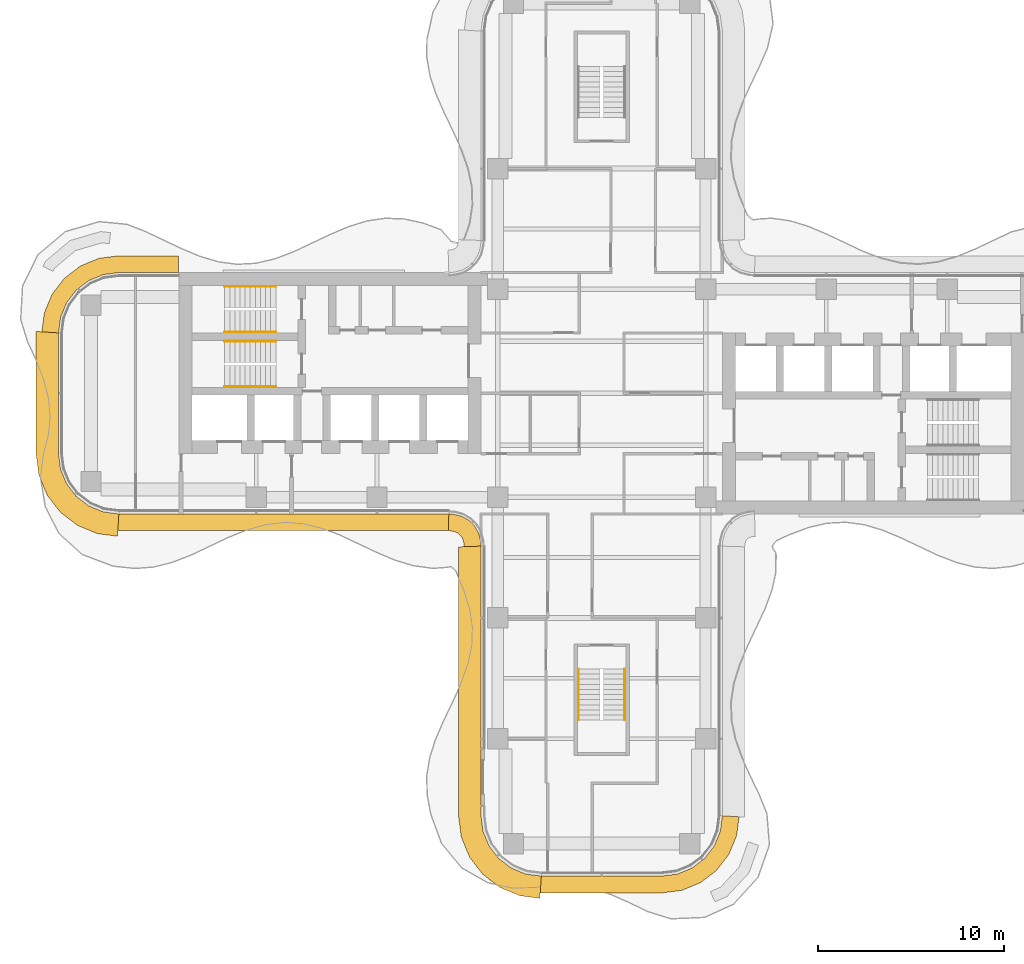
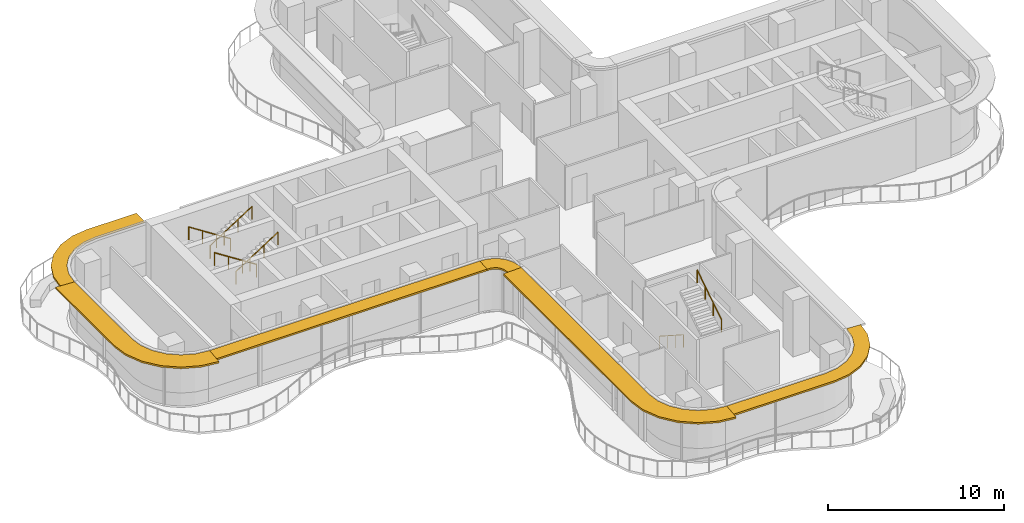
# One storey, part 16 of 17: 6 railings, 6 shading devices.
"""IFC4 building model written with IfcOpenShell, lengths in metres."""

from ifc_helpers import new_model, si_unit, direction, frame, origin, origin_2d, place, context, subcontext, project, spatial, polyline, circle, outline, extrude, source, transform, mapped, material, layer, layer_set, type_object, element, save


model = new_model("IFC4")

# Units and contexts
model_context = context("Model", 3, precision=1e-05, world=origin(), true_north=direction((0.0, 1.0)))
body_context = subcontext(model_context, "Body", "Model", "MODEL_VIEW")
ifc_project = project(units=[si_unit("LENGTHUNIT", "METRE"), si_unit("AREAUNIT", "SQUARE_METRE"), si_unit("VOLUMEUNIT", "CUBIC_METRE"), si_unit("PLANEANGLEUNIT", "RADIAN"), si_unit("MASSUNIT", "GRAM", prefix="KILO")], contexts=[model_context])

# Site, building, storey
site_placement = place(None, origin())
site = spatial("IfcSite", under=ifc_project, at=site_placement, CompositionType="ELEMENT")
building_placement = place(site_placement, origin())
building = spatial("IfcBuilding", under=site, at=building_placement, Name="Trellis Farm Tower", CompositionType="ELEMENT")
storey_placement = place(building_placement, frame((0.0, 0.0, 240.199951171875)))
storey = spatial("IfcBuildingStorey", under=building, at=storey_placement, Name="L53", CompositionType="ELEMENT", Elevation=240.199951171875)

# Railings
ifc_material_1 = material(Name="Stainless steel", Category="steel")
railing_type = type_object("IfcRailingType", Name="STAIR HANDRAIL 900", PredefinedType="HANDRAIL", material=ifc_material_1)
shared_shape_1 = source(origin(), body_context, "Body", "SweptSolid", [
    extrude(circle(Radius=0.02392578125, at=origin_2d()), frame((0.0, 0.0, 0.8759765625), z_axis=(0.0, 0.840503830235, 0.541805602924), x_axis=(-1.0, 0.0, 0.0)), (0.0, 0.0, 1.0), 3.271728515625),
    extrude(circle(Radius=0.02099609375, at=origin_2d()), origin(), (0.0, 0.0, 1.0), 0.851806640625),
    extrude(circle(Radius=0.02099609375, at=origin_2d()), frame((0.0, 0.916748046875, 0.5908203125)), (0.0, 0.0, 1.0), 0.851806640625),
    extrude(circle(Radius=0.02099609375, at=origin_2d()), frame((0.0, 1.833251953125, 1.181884765625)), (0.0, 0.0, 1.0), 0.851806640625),
    extrude(circle(Radius=0.02099609375, at=origin_2d()), frame((0.0, 2.75, 1.772705078125)), (0.0, 0.0, 1.0), 0.851806640625),
])
railing_1_placement = place(storey_placement, frame((1.25, -17.60009765625, 2.12744140625)))
element("IfcRailing", 1, at=railing_1_placement, inside=storey, type_object=railing_type, Name="Stair handrail", PredefinedType="HANDRAIL", context=body_context, shape_type="MappedRepresentation", body=[
    mapped(shared_shape_1, transform((0.0, 0.0, 0.0))),
])
shared_shape_2 = source(origin(), body_context, "Body", "SweptSolid", [
    extrude(circle(Radius=0.02392578125, at=origin_2d()), frame((0.0, 0.0, 0.8759765625), z_axis=(0.0, -0.840503830235, 0.541805602924), x_axis=(1.0, 0.0, 0.0)), (0.0, 0.0, 1.0), 3.271728515625),
    extrude(circle(Radius=0.02099609375, at=origin_2d()), origin(), (0.0, 0.0, 1.0), 0.851806640625),
    extrude(circle(Radius=0.02099609375, at=origin_2d()), frame((0.0, -0.916748046875, 0.5908203125)), (0.0, 0.0, 1.0), 0.851806640625),
    extrude(circle(Radius=0.02099609375, at=origin_2d()), frame((0.0, -1.833251953125, 1.181884765625)), (0.0, 0.0, 1.0), 0.851806640625),
    extrude(circle(Radius=0.02099609375, at=origin_2d()), frame((0.0, -2.75, 1.772705078125)), (0.0, 0.0, 1.0), 0.851806640625),
])
railing_2_placement = place(storey_placement, frame((-1.25, -14.85009765625, 0.17724609375)))
element("IfcRailing", 2, at=railing_2_placement, inside=storey, type_object=railing_type, Name="Stair handrail", PredefinedType="HANDRAIL", context=body_context, shape_type="MappedRepresentation", body=[
    mapped(shared_shape_2, transform((0.0, 0.0, 0.0))),
])
shared_shape_3 = source(origin(), body_context, "Body", "SweptSolid", [
    extrude(circle(Radius=0.02392578125, at=origin_2d()), frame((0.0, 0.0, 0.8759765625), z_axis=(0.840503830235, 0.0, 0.541805602924), x_axis=(0.0, 1.0, 0.0)), (0.0, 0.0, 1.0), 3.271728515625),
    extrude(circle(Radius=0.02099609375, at=origin_2d()), origin(), (0.0, 0.0, 1.0), 0.851806640625),
    extrude(circle(Radius=0.02099609375, at=origin_2d()), frame((0.916748046875, 0.0, 0.5908203125)), (0.0, 0.0, 1.0), 0.851806640625),
    extrude(circle(Radius=0.02099609375, at=origin_2d()), frame((1.833251953125, 0.0, 1.181884765625)), (0.0, 0.0, 1.0), 0.851806640625),
    extrude(circle(Radius=0.02099609375, at=origin_2d()), frame((2.75, 0.0, 1.772705078125)), (0.0, 0.0, 1.0), 0.851806640625),
])
for number, where, name in (
    (3, (-20.300048828125, 3.300048828125, 2.12744140625), "Stair handrail"),
    (4, (-20.300048828125, 0.35009765625, 2.12744140625), "Stair handrail"),
):
    element("IfcRailing", number, at=place(storey_placement, frame(where)), inside=storey, type_object=railing_type, Name=name, PredefinedType="HANDRAIL", context=body_context, shape_type="MappedRepresentation", body=[
        mapped(shared_shape_3, transform((0.0, 0.0, 0.0))),
    ])
shared_shape_4 = source(origin(), body_context, "Body", "SweptSolid", [
    extrude(circle(Radius=0.02392578125, at=origin_2d()), frame((0.0, 0.0, 0.8759765625), z_axis=(-0.840503830235, 0.0, 0.541805602924), x_axis=(0.0, -1.0, 0.0)), (0.0, 0.0, 1.0), 3.271728515625),
    extrude(circle(Radius=0.02099609375, at=origin_2d()), origin(), (0.0, 0.0, 1.0), 0.851806640625),
    extrude(circle(Radius=0.02099609375, at=origin_2d()), frame((-0.916748046875, 0.0, 0.5908203125)), (0.0, 0.0, 1.0), 0.851806640625),
    extrude(circle(Radius=0.02099609375, at=origin_2d()), frame((-1.833251953125, 0.0, 1.181884765625)), (0.0, 0.0, 1.0), 0.851806640625),
    extrude(circle(Radius=0.02099609375, at=origin_2d()), frame((-2.75, 0.0, 1.772705078125)), (0.0, 0.0, 1.0), 0.851806640625),
])
for number, where, name in (
    (5, (-17.550048828125, 5.75, 0.17724609375), "Stair handrail"),
    (6, (-17.550048828125, 2.800048828125, 0.17724609375), "Stair handrail"),
):
    element("IfcRailing", number, at=place(storey_placement, frame(where)), inside=storey, type_object=railing_type, Name=name, PredefinedType="HANDRAIL", context=body_context, shape_type="MappedRepresentation", body=[
        mapped(shared_shape_4, transform((0.0, 0.0, 0.0))),
    ])

# Shading devices
ifc_material_2 = material(Name="Aluminium extrusion 6063-T6", Category="aluminium")
ifc_layer_1 = layer(ifc_material_2, 0.1201171875)
ifc_layer_set_1 = layer_set([ifc_layer_1], Name="SUNSHADE BLADE 900")
shading_device_type_1 = type_object("IfcShadingDeviceType", Name="SUNSHADE BLADE 900", PredefinedType="USERDEFINED", material=ifc_layer_set_1)
shared_shape_5 = source(origin(), body_context, "Body", "SweptSolid", [
    extrude(outline(polyline([(-8.2607421875, -7.39990234375), (-8.107666015625, -7.409912109375), (-8.091552734375, -7.412109375), (-7.85595703125, -7.475341796875), (-7.697021484375, -7.567138671875), (-7.567138671875, -7.697021484375), (-7.475341796875, -7.85595703125), (-7.412109375, -8.091552734375), (-7.409912109375, -8.107666015625), (-7.39990234375, -8.2607421875), (-6.5, -8.2314453125), (-6.513916015625, -8.01953125), (-6.527587890625, -7.91552734375), (-6.63671875, -7.508544921875), (-6.846923828125, -7.144287109375), (-7.144287109375, -6.846923828125), (-7.508544921875, -6.63671875), (-7.91552734375, -6.527587890625), (-8.01953125, -6.513916015625), (-8.2314453125, -6.5), (-8.2607421875, -7.39990234375)])), origin(), (0.0, 0.0, 1.0), 0.1201171875),
])
placement = place(storey_placement, frame((0.0, 0.0, 3.5400390625)))
element("IfcShadingDevice", 7, at=placement, inside=storey, type_object=shading_device_type_1, Name="SD1 002", ObjectType="SUNSHADE", PredefinedType="USERDEFINED", context=body_context, shape_type="MappedRepresentation", body=[
    mapped(shared_shape_5, transform((0.0, 0.0, 0.0))),
])
ifc_layer_2 = layer(ifc_material_2, 0.1201171875)
ifc_layer_set_2 = layer_set([ifc_layer_2], Name="SUNSHADE BLADE 1200")
shading_device_type_2 = type_object("IfcShadingDeviceType", Name="SUNSHADE BLADE 1200", PredefinedType="USERDEFINED", material=ifc_layer_set_2)
shared_shape_6 = source(origin(), body_context, "Body", "SweptSolid", [
    extrude(outline(polyline([(-7.699951171875, -8.270751953125), (-7.699951171875, -22.82861328125), (-7.558349609375, -23.904541015625), (-7.11279296875, -24.980224609375), (-6.404052734375, -25.904052734375), (-5.480224609375, -26.61279296875), (-4.404541015625, -27.058349609375), (-3.32861328125, -27.199951171875), (-3.25, -26.0), (-4.091064453125, -25.88916015625), (-4.875, -25.564697265625), (-5.548095703125, -25.048095703125), (-6.064697265625, -24.375), (-6.38916015625, -23.591064453125), (-6.5, -22.75), (-6.5, -8.2314453125), (-7.699951171875, -8.270751953125)])), origin(), (0.0, 0.0, 1.0), 0.1201171875),
])
element("IfcShadingDevice", 8, at=placement, inside=storey, type_object=shading_device_type_2, Name="SD2 003", ObjectType="SUNSHADE", PredefinedType="USERDEFINED", context=body_context, shape_type="MappedRepresentation", body=[
    mapped(shared_shape_6, transform((0.0, 0.0, 0.0))),
])
shared_shape_7 = source(origin(), body_context, "Body", "SweptSolid", [
    extrude(outline(polyline([(-3.30908203125, -26.89990234375), (3.30908203125, -26.89990234375), (4.326171875, -26.76611328125), (5.328857421875, -26.350830078125), (6.18994140625, -25.68994140625), (6.850830078125, -24.828857421875), (7.26611328125, -23.826171875), (7.39990234375, -22.80908203125), (6.5, -22.75), (6.38916015625, -23.591064453125), (6.064697265625, -24.375), (5.548095703125, -25.048095703125), (4.875, -25.564697265625), (4.091064453125, -25.88916015625), (3.25, -26.0), (-3.25, -26.0), (-3.30908203125, -26.89990234375)])), origin(), (0.0, 0.0, 1.0), 0.1201171875),
])
element("IfcShadingDevice", 9, at=placement, inside=storey, type_object=shading_device_type_1, Name="SD1 004", ObjectType="SUNSHADE", PredefinedType="USERDEFINED", context=body_context, shape_type="MappedRepresentation", body=[
    mapped(shared_shape_7, transform((0.0, 0.0, 0.0))),
])
shared_shape_8 = source(origin(), body_context, "Body", "SweptSolid", [
    extrude(outline(polyline([(-26.05908203125, -7.39990234375), (-8.2607421875, -7.39990234375), (-8.2314453125, -6.5), (-26.0, -6.5), (-26.05908203125, -7.39990234375)])), origin(), (0.0, 0.0, 1.0), 0.1201171875),
])
element("IfcShadingDevice", 10, at=placement, inside=storey, type_object=shading_device_type_1, Name="SD1 001", ObjectType="SUNSHADE", PredefinedType="USERDEFINED", context=body_context, shape_type="MappedRepresentation", body=[
    mapped(shared_shape_8, transform((0.0, 0.0, 0.0))),
])
shared_shape_9 = source(origin(), body_context, "Body", "SweptSolid", [
    extrude(outline(polyline([(-22.780029296875, 7.39990234375), (-26.05908203125, 7.39990234375), (-27.076171875, 7.26611328125), (-28.078857421875, 6.850830078125), (-28.93994140625, 6.18994140625), (-29.600830078125, 5.328857421875), (-30.01611328125, 4.326171875), (-30.14990234375, 3.30908203125), (-29.25, 3.25), (-29.13916015625, 4.091064453125), (-28.814697265625, 4.875), (-28.298095703125, 5.548095703125), (-27.625, 6.064697265625), (-26.841064453125, 6.38916015625), (-26.0, 6.5), (-22.780029296875, 6.5), (-22.780029296875, 7.39990234375)])), origin(), (0.0, 0.0, 1.0), 0.1201171875),
])
element("IfcShadingDevice", 11, at=placement, inside=storey, type_object=shading_device_type_1, Name="SD1 015", ObjectType="SUNSHADE", PredefinedType="USERDEFINED", context=body_context, shape_type="MappedRepresentation", body=[
    mapped(shared_shape_9, transform((0.0, 0.0, 0.0))),
])
shared_shape_10 = source(origin(), body_context, "Body", "SweptSolid", [
    extrude(outline(polyline([(-30.449951171875, 3.32861328125), (-30.449951171875, -3.32861328125), (-30.308349609375, -4.404541015625), (-29.86279296875, -5.480224609375), (-29.154052734375, -6.404052734375), (-28.230224609375, -7.11279296875), (-27.154541015625, -7.558349609375), (-26.07861328125, -7.699951171875), (-26.0, -6.5), (-26.841064453125, -6.38916015625), (-27.625, -6.064697265625), (-28.298095703125, -5.548095703125), (-28.814697265625, -4.875), (-29.13916015625, -4.091064453125), (-29.25, -3.25), (-29.25, 3.25), (-30.449951171875, 3.32861328125)])), origin(), (0.0, 0.0, 1.0), 0.1201171875),
])
element("IfcShadingDevice", 12, at=placement, inside=storey, type_object=shading_device_type_2, Name="SD2 016", ObjectType="SUNSHADE", PredefinedType="USERDEFINED", context=body_context, shape_type="MappedRepresentation", body=[
    mapped(shared_shape_10, transform((0.0, 0.0, 0.0))),
])

save(model, "model.ifc")
